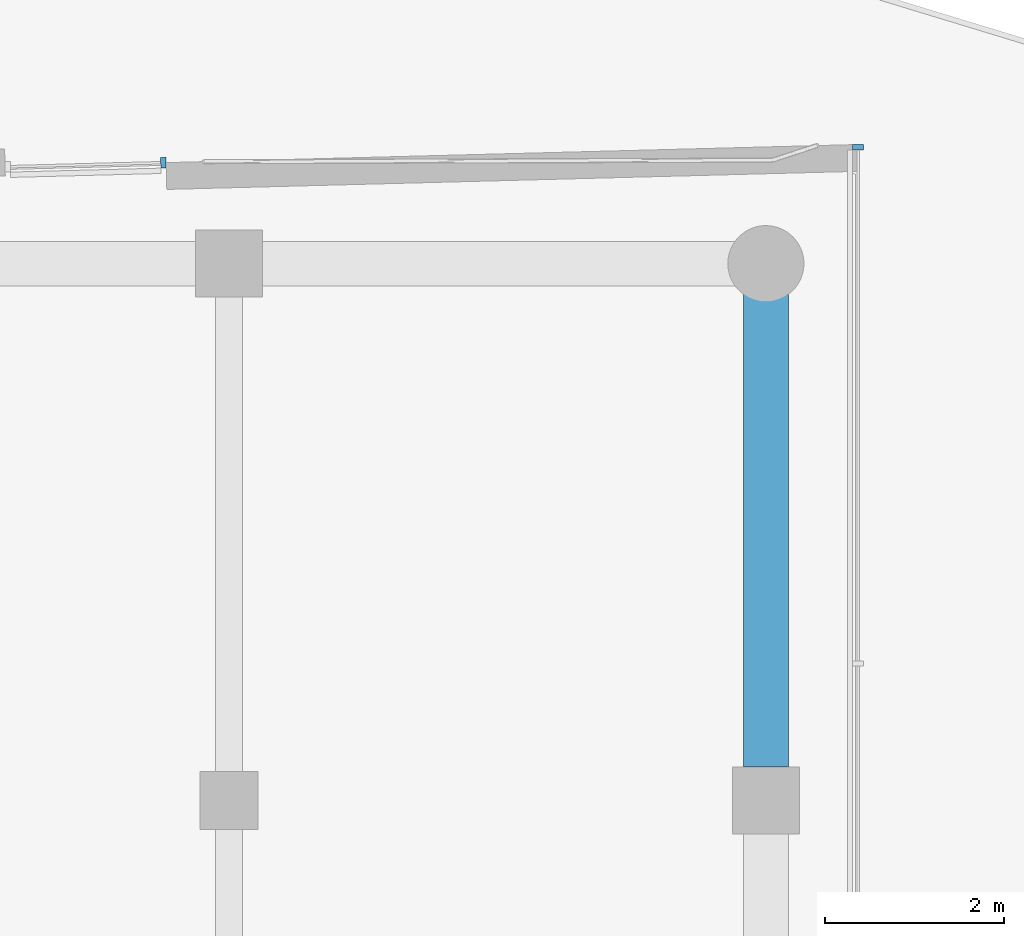
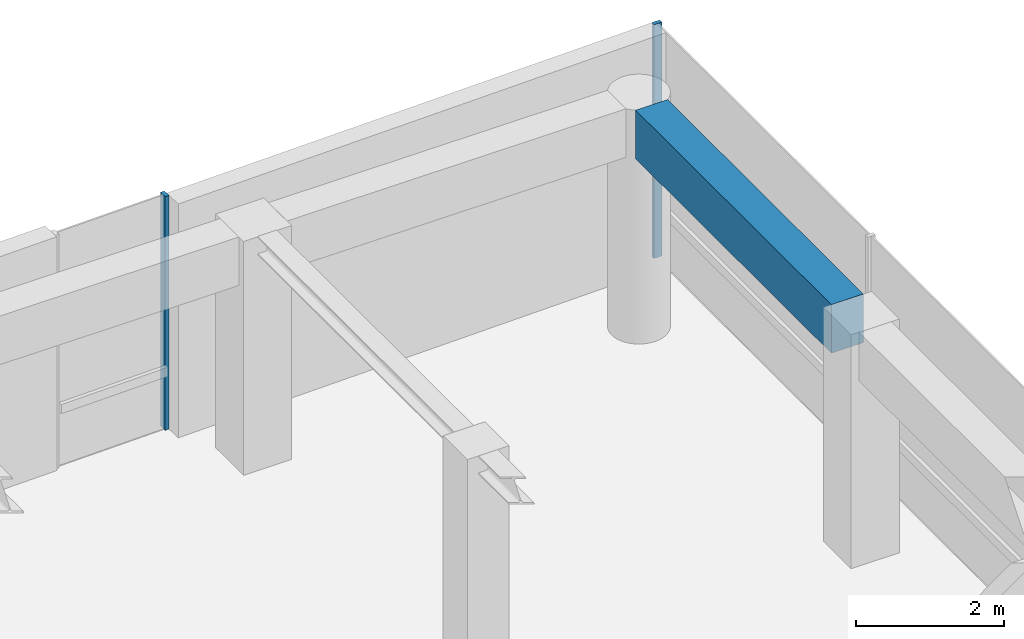
# One storey, part 14 of 20: 2 members, 1 beam, 2 elements without a shape of their own.
"""IFC4 building model written with IfcOpenShell, lengths in metres."""

from ifc_helpers import new_model, si_unit, direction, frame, origin, origin_2d, place, context, subcontext, project, spatial, rectangle, extrude, material, layer, layer_set, material_profile, profile_set, type_object, element, aggregate, save


model = new_model("IFC4")

# Units and contexts
model_context = context("Model", 3, precision=1e-05, world=origin(), true_north=direction((0.0, 1.0)))
body_context = subcontext(model_context, "Body", "Model", "MODEL_VIEW")
ifc_project = project(units=[si_unit("LENGTHUNIT", "METRE"), si_unit("AREAUNIT", "SQUARE_METRE"), si_unit("VOLUMEUNIT", "CUBIC_METRE"), si_unit("PLANEANGLEUNIT", "RADIAN"), si_unit("MASSUNIT", "GRAM", prefix="KILO")], contexts=[model_context])

# Site, building, storey
site_placement = place(None, origin())
site = spatial("IfcSite", under=ifc_project, at=site_placement, CompositionType="ELEMENT")
building_placement = place(site_placement, origin())
building = spatial("IfcBuilding", under=site, at=building_placement, Name="Welwitschia Terrace Campus", CompositionType="ELEMENT")
storey_placement = place(building_placement, frame((0.0, 0.0, 293.60009765625)))
storey = spatial("IfcBuildingStorey", under=building, at=storey_placement, Name="L65", CompositionType="ELEMENT", Elevation=293.60009765625)

# Curtain wall, member
ifc_material_1 = material(Name="Bronze anodised aluminium", Category="aluminium")
ifc_layer = layer(ifc_material_1, 0.1201171875)
ifc_layer_set = layer_set([ifc_layer], Name="Bronze anodised aluminium")
curtain_wall_type = type_object("IfcCurtainWallType", Name="Curtain wall CW2 tower 6000", PredefinedType="NOTDEFINED", material=ifc_layer_set)
curtain_wall_1_placement = place(storey_placement, origin())
curtain_wall_1 = element("IfcCurtainWall", 1, at=curtain_wall_1_placement, inside=storey, type_object=curtain_wall_type, Name="CW L65.9.0", PredefinedType="NOTDEFINED")
ifc_material_2 = material(Name="Bronze anodised aluminium", Category="aluminium")
ifc_material_profile_1 = material_profile(ifc_material_2, rectangle(XDim=0.1201171875, YDim=0.06005859375, at=origin_2d()))
ifc_profile_set_1 = profile_set([ifc_material_profile_1], Name="Bronze anodised aluminium")
member_type = type_object("IfcMemberType", Name="Mullion 60x120", PredefinedType="MULLION", material=ifc_profile_set_1)
member_1_placement = place(storey_placement, frame((25.030029296875, 63.301513671875, 0.0), z_axis=(0.0, 0.0, 1.0), x_axis=(-1.0, 0.0, 0.0)))
member_1 = element("IfcMember", 2, at=member_1_placement, type_object=member_type, Name="Mullion L65.9.0.6", PredefinedType="MULLION", context=body_context, shape_type="SweptSolid", body=[
    extrude(rectangle(XDim=0.1201171875, YDim=0.06005859375, at=origin_2d()), origin(), (0.0, 0.0, 1.0), 3.849853515625),
])
aggregate(curtain_wall_1, [member_1])

curtain_wall_2_placement = place(storey_placement, origin())
curtain_wall_2 = element("IfcCurtainWall", 3, at=curtain_wall_2_placement, inside=storey, type_object=curtain_wall_type, Name="CW L65.10.S0", PredefinedType="NOTDEFINED")
member_2_placement = place(storey_placement, frame((17.266845703125, 63.128173828125, 0.0), z_axis=(0.0, 0.0, 1.0), x_axis=(0.026176948308, -0.999657324976, 0.0)))
member_2 = element("IfcMember", 4, at=member_2_placement, type_object=member_type, Name="Mullion L65.10.S0.0", PredefinedType="MULLION", context=body_context, shape_type="SweptSolid", body=[
    extrude(rectangle(XDim=0.1201171875, YDim=0.06005859375, at=origin_2d()), origin(), (0.0, 0.0, 1.0), 3.849853515625),
])
aggregate(curtain_wall_2, [member_2])

# Beam
ifc_material_3 = material(Name="Concrete C50/60", Category="concrete")
ifc_material_profile_2 = material_profile(ifc_material_3, rectangle(XDim=0.5, YDim=0.800048828125, at=origin_2d()))
ifc_profile_set_2 = profile_set([ifc_material_profile_2], Name="Concrete C50/60")
beam_type = type_object("IfcBeamType", Name="Ring spandrel 500x800", PredefinedType="SPANDREL", material=ifc_profile_set_2)
beam_placement = place(storey_placement, frame((24.0, 56.37548828125, 3.449951171875), z_axis=(0.0, 1.0, 0.0), x_axis=(-1.0, 0.0, 0.0)))
element("IfcBeam", 5, at=beam_placement, inside=storey, type_object=beam_type, Name="Spandrel SP4", PredefinedType="SPANDREL", context=body_context, shape_type="SweptSolid", body=[
    extrude(rectangle(XDim=0.5, YDim=0.800048828125, at=origin_2d()), origin(), (0.0, 0.0, 1.0), 5.280029296875),
])

save(model, "model.ifc")
